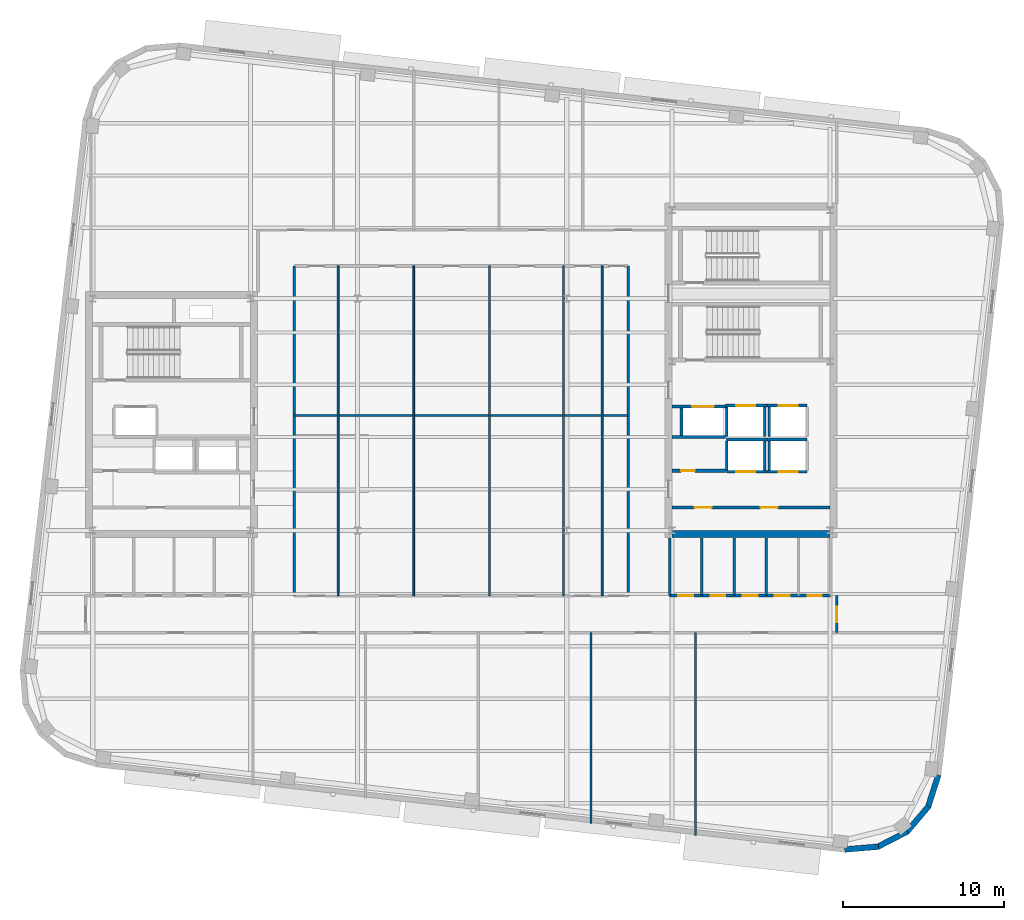
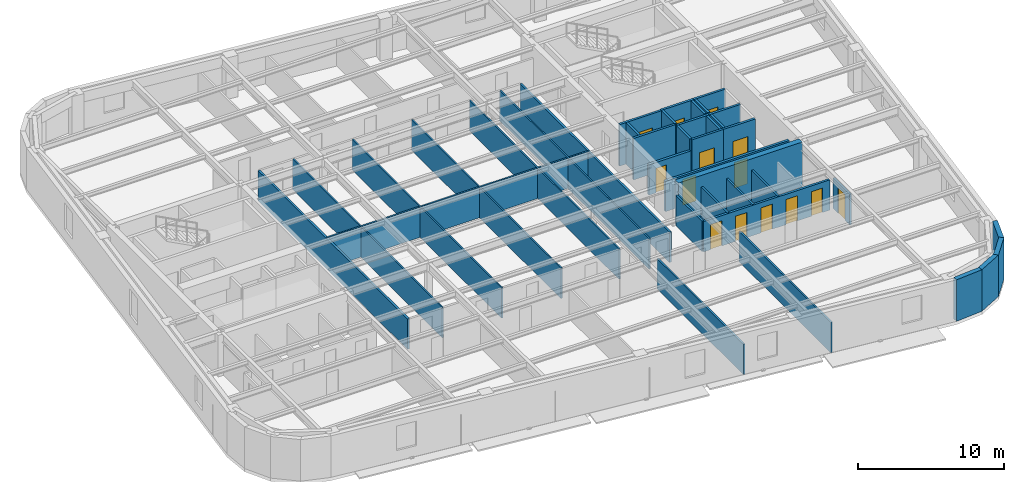
# One storey, part 7 of 13: 38 walls, 14 doors, 14 openings.
"""IFC4 building model written with IfcOpenShell, lengths in metres."""

import ifcopenshell
import ifcopenshell.guid

model = None  # the IFC model being written
_history = None  # IfcOwnerHistory: only IFC2X3 demands one
_inside = {}  # id of a spatial element -> (the spatial element, [elements in it])
_under = {}  # id of a project, library or spatial element -> (it, [spatial elements below it])
_declared = {}  # id of a project -> (the project, [libraries it declares])
_typed = {}  # id of a type object -> (the type object, [elements of that type])
_made_of = {}  # id of a material, layer set ... -> (it, [elements and type objects made of it])


def new_model(schema):
    """Start an empty IFC model of exactly this schema.

    Asked for "IFC4X3", IfcOpenShell would pick the latest addendum, in which some entities
    have other attributes; the version numbers below select the first issue.
    IFC2X3 requires an IfcOwnerHistory on every rooted entity: one is made here for all.
    """
    global model, _history
    if schema == "IFC4X3":
        model = ifcopenshell.file(schema_version=(4, 3, 0, 0))
    else:
        model = ifcopenshell.file(schema=schema)
    _inside.clear()
    _under.clear()
    _declared.clear()
    _typed.clear()
    _made_of.clear()
    _history = None
    if model.schema == "IFC2X3":
        org = make("IfcOrganization", Name="unknown")
        user = make(
            "IfcPersonAndOrganization",
            ThePerson=make("IfcPerson", FamilyName="unknown"),
            TheOrganization=org,
        )
        app = make(
            "IfcApplication",
            ApplicationDeveloper=org,
            Version="unknown",
            ApplicationFullName="unknown",
            ApplicationIdentifier="unknown",
        )
        _history = make(
            "IfcOwnerHistory",
            OwningUser=user,
            OwningApplication=app,
            ChangeAction="ADDED",
            CreationDate=0,
        )
    return model


def make(cls, **values):
    """One entity of the class cls with the attributes given. An attribute that is None is left unset."""
    return model.create_entity(
        cls, **{name: value for name, value in values.items() if value is not None}
    )


def rooted(cls, **values):
    """An entity with a GlobalId (a new one), such as an element, a storey or a relation."""
    return make(cls, GlobalId=ifcopenshell.guid.new(), OwnerHistory=_history, **values)


def si_unit(unit_type, name, prefix=None):
    """IfcSIUnit, for example si_unit("LENGTHUNIT", "METRE", prefix="MILLI")."""
    return make("IfcSIUnit", UnitType=unit_type, Prefix=prefix, Name=name)


def assignment(units):
    """IfcUnitAssignment: the units of a project."""
    return None if units is None else make("IfcUnitAssignment", Units=units)


def point(xyz):
    """IfcCartesianPoint."""
    return None if xyz is None else make("IfcCartesianPoint", Coordinates=xyz)


def direction(xyz):
    """IfcDirection."""
    return None if xyz is None else make("IfcDirection", DirectionRatios=xyz)


def frame(location, z_axis=None, x_axis=None):
    """IfcAxis2Placement3D, a coordinate frame: its origin and axes. An axis left out is left unset."""
    return make(
        "IfcAxis2Placement3D",
        Location=point(location),
        Axis=direction(z_axis),
        RefDirection=direction(x_axis),
    )


def frame_2d(location, x_axis=None):
    """IfcAxis2Placement2D, a coordinate frame in the plane: its origin and x axis."""
    return make(
        "IfcAxis2Placement2D", Location=point(location), RefDirection=direction(x_axis)
    )


def origin():
    """The frame at (0, 0, 0) with its axes left unset."""
    return frame((0.0, 0.0, 0.0))


def place(relative_to, where):
    """IfcLocalPlacement: puts the frame where relative to a parent placement (None: the world)."""
    return make(
        "IfcLocalPlacement", PlacementRelTo=relative_to, RelativePlacement=where
    )


def context(
    kind, dimensions, precision=None, world=None, true_north=None, identifier=None
):
    """IfcGeometricRepresentationContext, for example the 3D "Model" context."""
    return make(
        "IfcGeometricRepresentationContext",
        ContextIdentifier=identifier,
        ContextType=kind,
        CoordinateSpaceDimension=dimensions,
        Precision=precision,
        WorldCoordinateSystem=world,
        TrueNorth=true_north,
    )


def subcontext(parent, identifier, kind, view, scale=None):
    """IfcGeometricRepresentationSubContext, for example "Body" below "Model"."""
    return make(
        "IfcGeometricRepresentationSubContext",
        ContextIdentifier=identifier,
        ContextType=kind,
        ParentContext=parent,
        TargetScale=scale,
        TargetView=view,
    )


def project(units=None, contexts=None):
    """IfcProject with its units and contexts."""
    return rooted(
        "IfcProject",
        Name="project",
        RepresentationContexts=contexts,
        UnitsInContext=assignment(units),
    )


def spatial(cls, under=None, at=None, **own):
    """A site, building, storey or space (cls), placed at a placement, below another one or the project."""
    s = rooted(cls, ObjectPlacement=at, **own)
    if under is not None:
        _under.setdefault(under.id(), (under, []))[1].append(s)
    return s


def profile(cls, at=None, kind="AREA", **sizes):
    """A parametric profile (cls). Its sizes go by their IFC names, for example OverallWidth=200.0."""
    return make(cls, ProfileType=kind, Position=at, **sizes)


def rectangle(**sizes):
    """IfcRectangleProfileDef."""
    return profile("IfcRectangleProfileDef", **sizes)


def extrude(swept, where, along, depth):
    """IfcExtrudedAreaSolid: the profile swept, set in the frame where, extruded along a direction by depth."""
    return make(
        "IfcExtrudedAreaSolid",
        SweptArea=swept,
        Position=where,
        ExtrudedDirection=direction(along),
        Depth=depth,
    )


def shape(context_of_items, identifier, shape_type, items):
    """IfcShapeRepresentation: the items that make up one representation, for example the "Body"."""
    return make(
        "IfcShapeRepresentation",
        ContextOfItems=context_of_items,
        RepresentationIdentifier=identifier,
        RepresentationType=shape_type,
        Items=items,
    )


def material(Name=None, Category=None):
    """IfcMaterial."""
    return make("IfcMaterial", Name=Name, Category=Category)


def layer(
    of_material, thickness, ventilated=None, Name=None, Category=None, Priority=None
):
    """IfcMaterialLayer: one layer of a wall or slab, of a material (None: an air gap)."""
    return make(
        "IfcMaterialLayer",
        Material=of_material,
        LayerThickness=thickness,
        IsVentilated=ventilated,
        Name=Name,
        Category=Category,
        Priority=Priority,
    )


def layer_set(layers, Name=None):
    """IfcMaterialLayerSet."""
    return make("IfcMaterialLayerSet", MaterialLayers=layers, LayerSetName=Name)


def made_of(thing, what):
    """Note that an element or type object is made of a material, layer set ...; save() writes the relation."""
    if what is not None:
        _made_of.setdefault(what.id(), (what, []))[1].append(thing)
    return thing


def type_object(cls, material=None, **own):
    """A type object (cls), such as IfcWallType, which elements share."""
    return made_of(rooted(cls, **own), material)


def element(
    cls,
    number,
    at=None,
    inside=None,
    cuts=None,
    type_object=None,
    material=None,
    context=None,
    identifier="Body",
    shape_type=None,
    held_by="IfcProductDefinitionShape",
    body=None,
    shapes=None,
    **own,
):
    """One element of the class cls, such as IfcWall. Its Tag is "e" and its number.

    at: its placement. inside: the storey or other place that contains it. cuts: it is an
    opening in that element (IfcRelVoidsElement). A single representation is given by context,
    identifier, shape_type and body (its items); several are given by shapes. held_by: the class
    of the entity that holds the representations. save() writes the other relations.
    """
    e = rooted(cls, Tag="e%d" % number, ObjectPlacement=at, **own)
    if body is not None:
        shapes = [shape(context, identifier, shape_type, body)]
    if shapes is not None:
        e.Representation = make(held_by, Representations=shapes)
    if inside is not None:
        _inside.setdefault(inside.id(), (inside, []))[1].append(e)
    if cuts is not None:
        rooted(
            "IfcRelVoidsElement", RelatingBuildingElement=cuts, RelatedOpeningElement=e
        )
    if type_object is not None:
        _typed.setdefault(type_object.id(), (type_object, []))[1].append(e)
    return made_of(e, material)


def fill(opening, filler):
    """IfcRelFillsElement: the door or window that sits in an opening."""
    return rooted(
        "IfcRelFillsElement",
        RelatingOpeningElement=opening,
        RelatedBuildingElement=filler,
    )


def aggregate(whole, parts):
    """IfcRelAggregates: a whole, such as a stair, and the parts it consists of."""
    return rooted("IfcRelAggregates", RelatingObject=whole, RelatedObjects=parts)


def save(model, path):
    """Write the relations noted so far, then the file.

    IfcRelAggregates (storeys below a building ...), IfcRelContainedInSpatialStructure (elements
    in a storey), IfcRelDefinesByType, IfcRelAssociatesMaterial and IfcRelDeclares: one each for
    every whole, place, type object, material and project.
    """
    for whole, parts in _under.values():
        aggregate(whole, parts)
    for where, things in _inside.values():
        rooted(
            "IfcRelContainedInSpatialStructure",
            RelatedElements=things,
            RelatingStructure=where,
        )
    for kind, things in _typed.values():
        rooted("IfcRelDefinesByType", RelatedObjects=things, RelatingType=kind)
    for what, things in _made_of.values():
        rooted("IfcRelAssociatesMaterial", RelatedObjects=things, RelatingMaterial=what)
    for by, libraries in _declared.values():
        rooted("IfcRelDeclares", RelatingContext=by, RelatedDefinitions=libraries)
    model.write(path)


model = new_model("IFC4")

# Units and contexts
model_context = context("Model", 3, precision=1e-05, world=origin(), true_north=direction((0.0, 1.0)))
body_context = subcontext(model_context, "Body", "Model", "MODEL_VIEW")
ifc_project = project(units=[si_unit("LENGTHUNIT", "METRE"), si_unit("AREAUNIT", "SQUARE_METRE"), si_unit("VOLUMEUNIT", "CUBIC_METRE"), si_unit("PLANEANGLEUNIT", "RADIAN"), si_unit("MASSUNIT", "GRAM", prefix="KILO")], contexts=[model_context])

# Site, building, storey
site_placement = place(None, origin())
site = spatial("IfcSite", under=ifc_project, at=site_placement, CompositionType="ELEMENT")
building_placement = place(site_placement, origin())
building = spatial("IfcBuilding", under=site, at=building_placement, Name="Kolvaren Arena Tower", CompositionType="ELEMENT")
storey_placement = place(building_placement, frame((0.0, 0.0, 232.199951171875)))
storey = spatial("IfcBuildingStorey", under=building, at=storey_placement, Name="L56", CompositionType="ELEMENT", Elevation=232.199951171875)

# Walls
ifc_material_1 = material(Name="Gypsum board acoustic assembly", Category="gypsum")
ifc_layer_1 = layer(ifc_material_1, 0.159912109375)
ifc_layer_set_1 = layer_set([ifc_layer_1], Name="Gypsum board acoustic assembly")
wall_type_1 = type_object("IfcWallType", Name="CORR-160", PredefinedType="PARTITIONING", material=ifc_layer_set_1)
for number, where, z_axis, x_axis, name in (
    (1, (27.080078125, 15.3798828125, 0.0), (0.0, 0.0, 1.0), (0.0, 1.0, 0.0), "Interior Partition Wall (L56)"),
    (2, (47.820068359375, 15.3798828125, 0.0), (0.0, 0.0, 1.0), (0.0, 1.0, 0.0), "Interior Partition Wall (L56)"),
):
    element("IfcWall", number, at=place(storey_placement, frame(where, z_axis=z_axis, x_axis=x_axis)), inside=storey, type_object=wall_type_1, Name=name, PredefinedType="PARTITIONING", context=body_context, shape_type="SweptSolid", body=[
        extrude(rectangle(XDim=20.5, YDim=0.159912109375, at=frame_2d((10.25, 0.0))), origin(), (0.0, 0.0, 1.0), 2.5400390625),
    ])

# Wall, opening, door
wall_1_placement = place(storey_placement, frame((60.780029296875, 13.10009765625, 0.0), z_axis=(0.0, 0.0, 1.0), x_axis=(0.0, 1.0, 0.0)))
wall_1 = element("IfcWall", 3, at=wall_1_placement, inside=storey, type_object=wall_type_1, Name="Interior Partition Wall (L56)", PredefinedType="PARTITIONING", context=body_context, shape_type="SweptSolid", body=[
    extrude(rectangle(XDim=2.2998046875, YDim=0.159912109375, at=frame_2d((1.14990234375, 0.0))), origin(), (0.0, 0.0, 1.0), 2.5400390625),
])
opening_1_placement = place(wall_1_placement, frame((0.64990234375, 0.0, 0.0)))
opening_1 = element("IfcOpeningElement", 4, at=opening_1_placement, cuts=wall_1, Name="Opening D05", PredefinedType="OPENING", context=body_context, shape_type="SweptSolid", body=[
    extrude(rectangle(XDim=0.949951171875, YDim=2.14990234375, at=frame_2d((0.47509765625, 1.074951171875))), frame((0.0, 0.08984375, 0.0), z_axis=(0.0, -1.0, 0.0), x_axis=(1.0, 0.0, 0.0)), (0.0, 0.0, 1.0), 0.179931640625),
])
ifc_material_2 = material(Name="Solid-core oak acoustic office door", Category="wood")
door_type_1 = type_object("IfcDoorType", Name="DOOR-OF-095", OperationType="NOTDEFINED", PredefinedType="DOOR", material=ifc_material_2)
door_1_placement = place(opening_1_placement, origin())
door_1 = element("IfcDoor", 5, at=door_1_placement, inside=storey, type_object=door_type_1, Name="East Wing Studio Door (L56)", OperationType="SINGLE_SWING_RIGHT", OverallHeight=2.14990234375, OverallWidth=0.949951171875, PredefinedType="DOOR", context=body_context, shape_type="SweptSolid", body=[
    extrude(rectangle(XDim=0.949951171875, YDim=2.14990234375, at=frame_2d((0.47509765625, 1.074951171875))), frame((0.0, 0.02490234375, 0.0), z_axis=(0.0, -1.0, 0.0), x_axis=(1.0, 0.0, 0.0)), (0.0, 0.0, 1.0), 0.050048828125),
])
fill(opening_1, door_1)

# Walls
ifc_material_3 = material(Name="Concrete 55 MPa", Category="concrete")
ifc_layer_2 = layer(ifc_material_3, 0.449951171875)
ifc_layer_set_2 = layer_set([ifc_layer_2], Name="Concrete 55 MPa")
wall_type_2 = type_object("IfcWallType", Name="CWALL-450", PredefinedType="SHEAR", material=ifc_layer_set_2)
wall_2_placement = place(storey_placement, frame((50.550048828125, 19.22509765625, -0.27001953125), z_axis=(0.0, 0.0, 1.0), x_axis=(1.0, 0.0, 0.0)))
element("IfcWall", 6, at=wall_2_placement, inside=storey, type_object=wall_type_2, Name="Core Shear Wall EC-SOUTH (L56)", PredefinedType="SHEAR", context=body_context, shape_type="SweptSolid", body=[
    extrude(rectangle(XDim=9.800048828125, YDim=0.449951171875, at=frame_2d((4.89990234375, 0.0))), origin(), (0.0, 0.0, 1.0), 3.75),
])
ifc_material_4 = material(Name="Precast concrete C50/60", Category="concrete")
ifc_layer_3 = layer(ifc_material_4, 0.360107421875)
ifc_layer_set_3 = layer_set([ifc_layer_3], Name="Precast concrete C50/60")
wall_type_3 = type_object("IfcWallType", Name="EXT-PIER2", PredefinedType="SOLIDWALL", material=ifc_layer_set_3)
wall_3_placement = place(storey_placement, frame((63.370361328125, -0.199462890625, 0.0), z_axis=(0.0, 0.0, 1.0), x_axis=(-0.996562518477, -0.082844111233, 0.0)))
element("IfcWall", 7, at=wall_3_placement, inside=storey, type_object=wall_type_3, Name="Exterior Precast Masonry-Frame Wall (L56)", PredefinedType="SOLIDWALL", context=body_context, shape_type="SweptSolid", body=[
    extrude(rectangle(XDim=2.107177734375, YDim=0.360107421875, at=frame_2d((1.0537109375, 0.0))), origin(), (0.0, 0.0, 1.0), 3.47998046875),
])
for number, where, z_axis, x_axis, name in (
    (8, (65.176025390625, 0.745849609375, 0.0), (0.0, 0.0, 1.0), (-0.888985992199, -0.457934390142, 0.0), "Exterior Precast Masonry-Frame Wall (L56)"),
    (9, (66.482421875, 2.310302734375, 0.0), (0.0, 0.0, 1.0), (-0.646103249464, -0.763250018691, 0.0), "Exterior Precast Masonry-Frame Wall (L56)"),
):
    element("IfcWall", number, at=place(storey_placement, frame(where, z_axis=z_axis, x_axis=x_axis)), inside=storey, type_object=wall_type_3, Name=name, PredefinedType="SOLIDWALL", context=body_context, shape_type="SweptSolid", body=[
        extrude(rectangle(XDim=2.10693359375, YDim=0.360107421875, at=frame_2d((1.053466796875, 0.0))), origin(), (0.0, 0.0, 1.0), 3.47998046875),
    ])
wall_4_placement = place(storey_placement, frame((67.0908203125, 4.255615234375, 0.0), z_axis=(0.0, 0.0, 1.0), x_axis=(-0.304838787518, -0.952403965565, 0.0)))
element("IfcWall", 10, at=wall_4_placement, inside=storey, type_object=wall_type_3, Name="Exterior Precast Masonry-Frame Wall (L56)", PredefinedType="SOLIDWALL", context=body_context, shape_type="SweptSolid", body=[
    extrude(rectangle(XDim=2.107177734375, YDim=0.360107421875, at=frame_2d((1.0537109375, 0.0))), origin(), (0.0, 0.0, 1.0), 3.47998046875),
])

# Wall, openings, doors
ifc_material_5 = material(Name="Concrete 40 MPa", Category="concrete")
ifc_layer_4 = layer(ifc_material_5, 0.199951171875)
ifc_layer_set_4 = layer_set([ifc_layer_4], Name="Concrete 40 MPa")
wall_type_4 = type_object("IfcWallType", Name="LOBBY-200", PredefinedType="SOLIDWALL", material=ifc_layer_set_4)
wall_5_placement = place(storey_placement, frame((50.550048828125, 20.8798828125, 0.0), z_axis=(0.0, 0.0, 1.0), x_axis=(1.0, 0.0, 0.0)))
wall_5 = element("IfcWall", 11, at=wall_5_placement, inside=storey, type_object=wall_type_4, Name="Core Shaft Wall (L56)", PredefinedType="SOLIDWALL", context=body_context, shape_type="SweptSolid", body=[
    extrude(rectangle(XDim=9.800048828125, YDim=0.199951171875, at=frame_2d((4.89990234375, 0.0))), origin(), (0.0, 0.0, 1.0), 2.5400390625),
])
opening_2_placement = place(wall_5_placement, frame((1.39990234375, 0.0, 0.0)))
opening_2 = element("IfcOpeningElement", 12, at=opening_2_placement, cuts=wall_5, Name="Opening D04", PredefinedType="OPENING", context=body_context, shape_type="SweptSolid", body=[
    extrude(rectangle(XDim=1.050048828125, YDim=2.14990234375, at=frame_2d((0.52490234375, 1.074951171875))), frame((0.0, 0.10986328125, 0.0), z_axis=(0.0, -1.0, 0.0), x_axis=(1.0, 0.0, 0.0)), (0.0, 0.0, 1.0), 0.219970703125),
])
opening_3_placement = place(wall_5_placement, frame((5.5, 0.0, 0.0)))
opening_3 = element("IfcOpeningElement", 13, at=opening_3_placement, cuts=wall_5, Name="Opening D04", PredefinedType="OPENING", context=body_context, shape_type="SweptSolid", body=[
    extrude(rectangle(XDim=1.050048828125, YDim=2.14990234375, at=frame_2d((0.52490234375, 1.074951171875))), frame((0.0, 0.10986328125, 0.0), z_axis=(0.0, -1.0, 0.0), x_axis=(1.0, 0.0, 0.0)), (0.0, 0.0, 1.0), 0.219970703125),
])
ifc_material_6 = material(Name="Fire-rated steel lobby door", Category="steel")
door_type_2 = type_object("IfcDoorType", Name="DOOR-FF-105", OperationType="NOTDEFINED", PredefinedType="DOOR", material=ifc_material_6)
door_2_placement = place(opening_2_placement, origin())
door_2 = element("IfcDoor", 14, at=door_2_placement, inside=storey, type_object=door_type_2, Name="East Telecom Room Fire Door (L56)", OperationType="SINGLE_SWING_RIGHT", OverallHeight=2.14990234375, OverallWidth=1.050048828125, PredefinedType="DOOR", context=body_context, shape_type="SweptSolid", body=[
    extrude(rectangle(XDim=1.050048828125, YDim=2.14990234375, at=frame_2d((0.52490234375, 1.074951171875))), frame((0.0, 0.02490234375, 0.0), z_axis=(0.0, -1.0, 0.0), x_axis=(1.0, 0.0, 0.0)), (0.0, 0.0, 1.0), 0.050048828125),
])
fill(opening_2, door_2)
door_3_placement = place(opening_3_placement, origin())
door_3 = element("IfcDoor", 15, at=door_3_placement, inside=storey, type_object=door_type_2, Name="East Records Room Fire Door (L56)", OperationType="SINGLE_SWING_LEFT", OverallHeight=2.14990234375, OverallWidth=1.050048828125, PredefinedType="DOOR", context=body_context, shape_type="SweptSolid", body=[
    extrude(rectangle(XDim=1.050048828125, YDim=2.14990234375, at=frame_2d((0.52490234375, 1.074951171875))), frame((0.0, 0.02490234375, 0.0), z_axis=(0.0, -1.0, 0.0), x_axis=(1.0, 0.0, 0.0)), (0.0, 0.0, 1.0), 0.050048828125),
])
fill(opening_3, door_3)

# Wall, opening, door
wall_6_placement = place(storey_placement, frame((50.550048828125, 23.159912109375, 0.0), z_axis=(0.0, 0.0, 1.0), x_axis=(1.0, 0.0, 0.0)))
wall_6 = element("IfcWall", 16, at=wall_6_placement, inside=storey, type_object=wall_type_4, Name="Core Shaft Wall (L56)", PredefinedType="SOLIDWALL", context=body_context, shape_type="SweptSolid", body=[
    extrude(rectangle(XDim=3.329833984375, YDim=0.199951171875, at=frame_2d((1.6650390625, 0.0))), origin(), (0.0, 0.0, 1.0), 2.5400390625),
])
opening_4_placement = place(wall_6_placement, frame((0.550048828125, 0.0, 0.0)))
opening_4 = element("IfcOpeningElement", 17, at=opening_4_placement, cuts=wall_6, Name="Opening D09", PredefinedType="OPENING", context=body_context, shape_type="SweptSolid", body=[
    extrude(rectangle(XDim=0.860107421875, YDim=2.050048828125, at=frame_2d((0.43017578125, 1.02490234375))), frame((0.0, 0.10986328125, 0.0), z_axis=(0.0, -1.0, 0.0), x_axis=(1.0, 0.0, 0.0)), (0.0, 0.0, 1.0), 0.219970703125),
])
ifc_material_7 = material(Name="Fire-rated steel riser access door", Category="steel")
door_type_3 = type_object("IfcDoorType", Name="DOOR-RS-086", OperationType="NOTDEFINED", PredefinedType="DOOR", material=ifc_material_7)
door_4_placement = place(opening_4_placement, origin())
door_4 = element("IfcDoor", 18, at=door_4_placement, inside=storey, type_object=door_type_3, Name="East AV Riser Closet Door (L56)", OperationType="SINGLE_SWING_LEFT", OverallHeight=2.050048828125, OverallWidth=0.860107421875, PredefinedType="DOOR", context=body_context, shape_type="SweptSolid", body=[
    extrude(rectangle(XDim=0.860107421875, YDim=2.050048828125, at=frame_2d((0.43017578125, 1.02490234375))), frame((0.0, 0.02490234375, 0.0), z_axis=(0.0, -1.0, 0.0), x_axis=(1.0, 0.0, 0.0)), (0.0, 0.0, 1.0), 0.050048828125),
])
fill(opening_4, door_4)

# Walls
ifc_material_8 = material(Name="Gypsum board partition assembly", Category="gypsum")
ifc_layer_5 = layer(ifc_material_8, 0.114990234375)
ifc_layer_set_5 = layer_set([ifc_layer_5], Name="Gypsum board partition assembly")
wall_type_5 = type_object("IfcWallType", Name="PART-115", PredefinedType="PARTITIONING", material=ifc_layer_set_5)
for number, where, z_axis, x_axis, name in (
    (19, (29.800048828125, 15.3798828125, 0.0), (0.0, 0.0, 1.0), (0.0, 1.0, 0.0), "Interior Partition Wall (L56)"),
    (20, (34.5, 15.3798828125, 0.0), (0.0, 0.0, 1.0), (0.0, 1.0, 0.0), "Interior Partition Wall (L56)"),
    (21, (39.199951171875, 15.3798828125, 0.0), (0.0, 0.0, 1.0), (0.0, 1.0, 0.0), "Interior Partition Wall (L56)"),
    (22, (43.800048828125, 15.3798828125, 0.0), (0.0, 0.0, 1.0), (0.0, 1.0, 0.0), "Interior Partition Wall (L56)"),
    (23, (46.199951171875, 15.3798828125, 0.0), (0.0, 0.0, 1.0), (0.0, 1.0, 0.0), "Interior Partition Wall (L56)"),
):
    element("IfcWall", number, at=place(storey_placement, frame(where, z_axis=z_axis, x_axis=x_axis)), inside=storey, type_object=wall_type_5, Name=name, PredefinedType="PARTITIONING", context=body_context, shape_type="SweptSolid", body=[
        extrude(rectangle(XDim=20.5, YDim=0.114990234375, at=frame_2d((10.25, 0.0))), origin(), (0.0, 0.0, 1.0), 2.5400390625),
    ])
ifc_layer_6 = layer(ifc_material_8, 0.135009765625)
ifc_layer_set_6 = layer_set([ifc_layer_6], Name="Gypsum board partition assembly")
wall_type_6 = type_object("IfcWallType", Name="PART-135", PredefinedType="PARTITIONING", material=ifc_layer_set_6)
wall_7_placement = place(storey_placement, frame((45.5, 1.2451171875, 0.0), z_axis=(0.0, 0.0, 1.0), x_axis=(0.0, 1.0, 0.0)))
element("IfcWall", 24, at=wall_7_placement, inside=storey, type_object=wall_type_6, Name="Interior Partition Wall (L56)", PredefinedType="PARTITIONING", context=body_context, shape_type="SweptSolid", body=[
    extrude(rectangle(XDim=11.85498046875, YDim=0.135009765625, at=frame_2d((5.927490234375, 0.0))), origin(), (0.0, 0.0, 1.0), 2.5400390625),
])
wall_8_placement = place(storey_placement, frame((52.0, 0.504638671875, 0.0), z_axis=(0.0, 0.0, 1.0), x_axis=(0.0, 1.0, 0.0)))
element("IfcWall", 25, at=wall_8_placement, inside=storey, type_object=wall_type_6, Name="Interior Partition Wall (L56)", PredefinedType="PARTITIONING", context=body_context, shape_type="SweptSolid", body=[
    extrude(rectangle(XDim=12.595458984375, YDim=0.135009765625, at=frame_2d((6.2978515625, 0.0))), origin(), (0.0, 0.0, 1.0), 2.5400390625),
])
wall_9_placement = place(storey_placement, frame((27.080078125, 26.60009765625, 0.0), z_axis=(0.0, 0.0, 1.0), x_axis=(1.0, 0.0, 0.0)))
element("IfcWall", 26, at=wall_9_placement, inside=storey, type_object=wall_type_6, Name="Interior Partition Wall (L56)", PredefinedType="PARTITIONING", context=body_context, shape_type="SweptSolid", body=[
    extrude(rectangle(XDim=20.739990234375, YDim=0.135009765625, at=frame_2d((10.3701171875, 0.0))), origin(), (0.0, 0.0, 1.0), 2.5400390625),
])
ifc_material_9 = material(Name="Concrete 45 MPa", Category="concrete")
ifc_layer_7 = layer(ifc_material_9, 0.25)
ifc_layer_set_7 = layer_set([ifc_layer_7], Name="Concrete 45 MPa")
wall_type_7 = type_object("IfcWallType", Name="SHAFT-250", PredefinedType="SOLIDWALL", material=ifc_layer_set_7)
wall_10_placement = place(storey_placement, frame((53.93994140625, 25.10498046875, 0.0), z_axis=(0.0, 0.0, 1.0), x_axis=(1.0, 0.0, 0.0)))
element("IfcWall", 27, at=wall_10_placement, inside=storey, type_object=wall_type_7, Name="Core Shaft Wall (L56)", PredefinedType="SOLIDWALL", context=body_context, shape_type="SweptSolid", body=[
    extrude(rectangle(XDim=2.5, YDim=0.179931640625, at=frame_2d((1.25, 0.0))), origin(), (0.0, 0.0, 1.0), 3.47998046875),
])

# Wall, opening, door
wall_11_placement = place(storey_placement, frame((53.93994140625, 23.094970703125, 0.0), z_axis=(0.0, 0.0, 1.0), x_axis=(1.0, 0.0, 0.0)))
wall_11 = element("IfcWall", 28, at=wall_11_placement, inside=storey, type_object=wall_type_7, Name="Core Shaft Wall (L56)", PredefinedType="SOLIDWALL", context=body_context, shape_type="SweptSolid", body=[
    extrude(rectangle(XDim=2.5, YDim=0.179931640625, at=frame_2d((1.25, 0.0))), origin(), (0.0, 0.0, 1.0), 3.47998046875),
])
opening_5_placement = place(wall_11_placement, frame((0.580078125, 0.0, 0.0)))
opening_5 = element("IfcOpeningElement", 29, at=opening_5_placement, cuts=wall_11, Name="Opening LD1", PredefinedType="OPENING", context=body_context, shape_type="SweptSolid", body=[
    extrude(rectangle(XDim=1.199951171875, YDim=2.199951171875, at=frame_2d((0.60009765625, 1.10009765625))), frame((0.0, 0.099853515625, 0.0), z_axis=(0.0, -1.0, 0.0), x_axis=(1.0, 0.0, 0.0)), (0.0, 0.0, 1.0), 0.199951171875),
])
ifc_material_10 = material(Name="Stainless steel passenger lift landing door", Category="steel")
door_type_4 = type_object("IfcDoorType", Name="DOOR-LD-120", OperationType="DOUBLE_DOOR_SLIDING", PredefinedType="DOOR", material=ifc_material_10)
door_5_placement = place(opening_5_placement, origin())
door_5 = element("IfcDoor", 30, at=door_5_placement, inside=storey, type_object=door_type_4, Name="Lift EL-HR1 Landing Door (L56)", OperationType="DOUBLE_DOOR_SLIDING", OverallHeight=2.199951171875, OverallWidth=1.199951171875, PredefinedType="DOOR", context=body_context, shape_type="SweptSolid", body=[
    extrude(rectangle(XDim=1.199951171875, YDim=2.199951171875, at=frame_2d((0.60009765625, 1.10009765625))), frame((0.0, 0.02490234375, 0.0), z_axis=(0.0, -1.0, 0.0), x_axis=(1.0, 0.0, 0.0)), (0.0, 0.0, 1.0), 0.050048828125),
])
fill(opening_5, door_5)

# Walls
for number, where, z_axis, x_axis, name in (
    (31, (53.93994140625, 23.18505859375, 0.0), (0.0, 0.0, 1.0), (0.0, 1.0, 0.0), "Core Shaft Wall (L56)"),
    (32, (56.300048828125, 23.18505859375, 0.0), (0.0, 0.0, 1.0), (0.0, 1.0, 0.0), "Core Shaft Wall (L56)"),
):
    element("IfcWall", number, at=place(storey_placement, frame(where, z_axis=z_axis, x_axis=x_axis)), inside=storey, type_object=wall_type_7, Name=name, PredefinedType="SOLIDWALL", context=body_context, shape_type="SweptSolid", body=[
        extrude(rectangle(XDim=1.829833984375, YDim=0.179931640625, at=frame_2d((0.9150390625, 0.0))), origin(), (0.0, 0.0, 1.0), 3.47998046875),
    ])
wall_12_placement = place(storey_placement, frame((56.43994140625, 25.10498046875, 0.0), z_axis=(0.0, 0.0, 1.0), x_axis=(1.0, 0.0, 0.0)))
element("IfcWall", 33, at=wall_12_placement, inside=storey, type_object=wall_type_7, Name="Core Shaft Wall (L56)", PredefinedType="SOLIDWALL", context=body_context, shape_type="SweptSolid", body=[
    extrude(rectangle(XDim=2.5, YDim=0.179931640625, at=frame_2d((1.25, 0.0))), origin(), (0.0, 0.0, 1.0), 3.47998046875),
])

# Wall, opening, door
wall_13_placement = place(storey_placement, frame((56.43994140625, 23.094970703125, 0.0), z_axis=(0.0, 0.0, 1.0), x_axis=(1.0, 0.0, 0.0)))
wall_13 = element("IfcWall", 34, at=wall_13_placement, inside=storey, type_object=wall_type_7, Name="Core Shaft Wall (L56)", PredefinedType="SOLIDWALL", context=body_context, shape_type="SweptSolid", body=[
    extrude(rectangle(XDim=2.5, YDim=0.179931640625, at=frame_2d((1.25, 0.0))), origin(), (0.0, 0.0, 1.0), 3.47998046875),
])
opening_6_placement = place(wall_13_placement, frame((0.719970703125, 0.0, 0.0)))
opening_6 = element("IfcOpeningElement", 35, at=opening_6_placement, cuts=wall_13, Name="Opening LD1", PredefinedType="OPENING", context=body_context, shape_type="SweptSolid", body=[
    extrude(rectangle(XDim=1.199951171875, YDim=2.199951171875, at=frame_2d((0.60009765625, 1.10009765625))), frame((0.0, 0.099853515625, 0.0), z_axis=(0.0, -1.0, 0.0), x_axis=(1.0, 0.0, 0.0)), (0.0, 0.0, 1.0), 0.199951171875),
])
door_6_placement = place(opening_6_placement, origin())
door_6 = element("IfcDoor", 36, at=door_6_placement, inside=storey, type_object=door_type_4, Name="Lift EL-HR2 Landing Door (L56)", OperationType="DOUBLE_DOOR_SLIDING", OverallHeight=2.199951171875, OverallWidth=1.199951171875, PredefinedType="DOOR", context=body_context, shape_type="SweptSolid", body=[
    extrude(rectangle(XDim=1.199951171875, YDim=2.199951171875, at=frame_2d((0.60009765625, 1.10009765625))), frame((0.0, 0.02490234375, 0.0), z_axis=(0.0, -1.0, 0.0), x_axis=(1.0, 0.0, 0.0)), (0.0, 0.0, 1.0), 0.050048828125),
])
fill(opening_6, door_6)

# Wall
wall_14_placement = place(storey_placement, frame((56.580078125, 23.18505859375, 0.0), z_axis=(0.0, 0.0, 1.0), x_axis=(0.0, 1.0, 0.0)))
element("IfcWall", 37, at=wall_14_placement, inside=storey, type_object=wall_type_7, Name="Core Shaft Wall (L56)", PredefinedType="SOLIDWALL", context=body_context, shape_type="SweptSolid", body=[
    extrude(rectangle(XDim=1.829833984375, YDim=0.179931640625, at=frame_2d((0.9150390625, 0.0))), origin(), (0.0, 0.0, 1.0), 3.47998046875),
])

# Wall, opening, door
wall_15_placement = place(storey_placement, frame((53.864990234375, 27.205078125, 0.0), z_axis=(0.0, 0.0, 1.0), x_axis=(1.0, 0.0, 0.0)))
wall_15 = element("IfcWall", 38, at=wall_15_placement, inside=storey, type_object=wall_type_7, Name="Core Shaft Wall (L56)", PredefinedType="SOLIDWALL", context=body_context, shape_type="SweptSolid", body=[
    extrude(rectangle(XDim=2.574951171875, YDim=0.179931640625, at=frame_2d((1.28759765625, 0.0))), origin(), (0.0, 0.0, 1.0), 3.47998046875),
])
opening_7_placement = place(wall_15_placement, frame((0.655029296875, 0.0, 0.0)))
opening_7 = element("IfcOpeningElement", 39, at=opening_7_placement, cuts=wall_15, Name="Opening LD1", PredefinedType="OPENING", context=body_context, shape_type="SweptSolid", body=[
    extrude(rectangle(XDim=1.199951171875, YDim=2.199951171875, at=frame_2d((0.60009765625, 1.10009765625))), frame((0.0, 0.099853515625, 0.0), z_axis=(0.0, -1.0, 0.0), x_axis=(1.0, 0.0, 0.0)), (0.0, 0.0, 1.0), 0.199951171875),
])
door_7_placement = place(opening_7_placement, origin())
door_7 = element("IfcDoor", 40, at=door_7_placement, inside=storey, type_object=door_type_4, Name="Lift EL-HR3 Landing Door (L56)", OperationType="DOUBLE_DOOR_SLIDING", OverallHeight=2.199951171875, OverallWidth=1.199951171875, PredefinedType="DOOR", context=body_context, shape_type="SweptSolid", body=[
    extrude(rectangle(XDim=1.199951171875, YDim=2.199951171875, at=frame_2d((0.60009765625, 1.10009765625))), frame((0.0, 0.02490234375, 0.0), z_axis=(0.0, -1.0, 0.0), x_axis=(1.0, 0.0, 0.0)), (0.0, 0.0, 1.0), 0.050048828125),
])
fill(opening_7, door_7)

# Walls
for number, where, z_axis, x_axis, name in (
    (41, (53.93994140625, 25.284912109375, 0.0), (0.0, 0.0, 1.0), (0.0, 1.0, 0.0), "Core Shaft Wall (L56)"),
    (42, (56.300048828125, 25.284912109375, 0.0), (0.0, 0.0, 1.0), (0.0, 1.0, 0.0), "Core Shaft Wall (L56)"),
):
    element("IfcWall", number, at=place(storey_placement, frame(where, z_axis=z_axis, x_axis=x_axis)), inside=storey, type_object=wall_type_7, Name=name, PredefinedType="SOLIDWALL", context=body_context, shape_type="SweptSolid", body=[
        extrude(rectangle(XDim=1.830078125, YDim=0.179931640625, at=frame_2d((0.9150390625, 0.0))), origin(), (0.0, 0.0, 1.0), 3.47998046875),
    ])

# Wall, opening, door
wall_16_placement = place(storey_placement, frame((56.43994140625, 27.205078125, 0.0), z_axis=(0.0, 0.0, 1.0), x_axis=(1.0, 0.0, 0.0)))
wall_16 = element("IfcWall", 43, at=wall_16_placement, inside=storey, type_object=wall_type_7, Name="Core Shaft Wall (L56)", PredefinedType="SOLIDWALL", context=body_context, shape_type="SweptSolid", body=[
    extrude(rectangle(XDim=2.5, YDim=0.179931640625, at=frame_2d((1.25, 0.0))), origin(), (0.0, 0.0, 1.0), 3.47998046875),
])
opening_8_placement = place(wall_16_placement, frame((0.719970703125, 0.0, 0.0)))
opening_8 = element("IfcOpeningElement", 44, at=opening_8_placement, cuts=wall_16, Name="Opening LD1", PredefinedType="OPENING", context=body_context, shape_type="SweptSolid", body=[
    extrude(rectangle(XDim=1.199951171875, YDim=2.199951171875, at=frame_2d((0.60009765625, 1.10009765625))), frame((0.0, 0.099853515625, 0.0), z_axis=(0.0, -1.0, 0.0), x_axis=(1.0, 0.0, 0.0)), (0.0, 0.0, 1.0), 0.199951171875),
])
door_8_placement = place(opening_8_placement, origin())
door_8 = element("IfcDoor", 45, at=door_8_placement, inside=storey, type_object=door_type_4, Name="Lift EL-HR4 Landing Door (L56)", OperationType="DOUBLE_DOOR_SLIDING", OverallHeight=2.199951171875, OverallWidth=1.199951171875, PredefinedType="DOOR", context=body_context, shape_type="SweptSolid", body=[
    extrude(rectangle(XDim=1.199951171875, YDim=2.199951171875, at=frame_2d((0.60009765625, 1.10009765625))), frame((0.0, 0.02490234375, 0.0), z_axis=(0.0, -1.0, 0.0), x_axis=(1.0, 0.0, 0.0)), (0.0, 0.0, 1.0), 0.050048828125),
])
fill(opening_8, door_8)

# Wall
wall_17_placement = place(storey_placement, frame((56.580078125, 25.284912109375, 0.0), z_axis=(0.0, 0.0, 1.0), x_axis=(0.0, 1.0, 0.0)))
element("IfcWall", 46, at=wall_17_placement, inside=storey, type_object=wall_type_7, Name="Core Shaft Wall (L56)", PredefinedType="SOLIDWALL", context=body_context, shape_type="SweptSolid", body=[
    extrude(rectangle(XDim=1.830078125, YDim=0.179931640625, at=frame_2d((0.9150390625, 0.0))), origin(), (0.0, 0.0, 1.0), 3.47998046875),
])

# Wall, opening, door
wall_18_placement = place(storey_placement, frame((50.550048828125, 27.155029296875, 0.0), z_axis=(0.0, 0.0, 1.0), x_axis=(1.0, 0.0, 0.0)))
wall_18 = element("IfcWall", 47, at=wall_18_placement, inside=storey, type_object=wall_type_7, Name="Core Shaft Wall (L56)", PredefinedType="SOLIDWALL", context=body_context, shape_type="SweptSolid", body=[
    extrude(rectangle(XDim=3.31494140625, YDim=0.179931640625, at=frame_2d((1.657470703125, 0.0))), origin(), (0.0, 0.0, 1.0), 3.47998046875),
])
opening_9_placement = place(wall_18_placement, frame((1.235107421875, 0.0, 0.0)))
opening_9 = element("IfcOpeningElement", 48, at=opening_9_placement, cuts=wall_18, Name="Opening LD2", PredefinedType="OPENING", context=body_context, shape_type="SweptSolid", body=[
    extrude(rectangle(XDim=1.35009765625, YDim=2.300048828125, at=frame_2d((0.675048828125, 1.14990234375))), frame((0.0, 0.099853515625, 0.0), z_axis=(0.0, -1.0, 0.0), x_axis=(1.0, 0.0, 0.0)), (0.0, 0.0, 1.0), 0.199951171875),
])
ifc_material_11 = material(Name="Stainless steel firefighter lift landing door", Category="steel")
door_type_5 = type_object("IfcDoorType", Name="DOOR-LD-135", OperationType="DOUBLE_DOOR_SLIDING", PredefinedType="DOOR", material=ifc_material_11)
door_9_placement = place(opening_9_placement, origin())
door_9 = element("IfcDoor", 49, at=door_9_placement, inside=storey, type_object=door_type_5, Name="Firefighter Lift FF-E1 Landing Door (L56)", OperationType="DOUBLE_DOOR_SLIDING", OverallHeight=2.300048828125, OverallWidth=1.35009765625, PredefinedType="DOOR", context=body_context, shape_type="SweptSolid", body=[
    extrude(rectangle(XDim=1.35009765625, YDim=2.300048828125, at=frame_2d((0.675048828125, 1.14990234375))), frame((0.0, 0.02490234375, 0.0), z_axis=(0.0, -1.0, 0.0), x_axis=(1.0, 0.0, 0.0)), (0.0, 0.0, 1.0), 0.050048828125),
])
fill(opening_9, door_9)

# Walls
wall_19_placement = place(storey_placement, frame((50.550048828125, 25.2451171875, 0.0), z_axis=(0.0, 0.0, 1.0), x_axis=(1.0, 0.0, 0.0)))
element("IfcWall", 50, at=wall_19_placement, inside=storey, type_object=wall_type_7, Name="Core Shaft Wall (L56)", PredefinedType="SOLIDWALL", context=body_context, shape_type="SweptSolid", body=[
    extrude(rectangle(XDim=3.31494140625, YDim=0.179931640625, at=frame_2d((1.657470703125, 0.0))), origin(), (0.0, 0.0, 1.0), 3.47998046875),
])
wall_20_placement = place(storey_placement, frame((51.1298828125, 25.3349609375, 0.0), z_axis=(0.0, 0.0, 1.0), x_axis=(0.0, 1.0, 0.0)))
element("IfcWall", 51, at=wall_20_placement, inside=storey, type_object=wall_type_7, Name="Core Shaft Wall (L56)", PredefinedType="SOLIDWALL", context=body_context, shape_type="SweptSolid", body=[
    extrude(rectangle(XDim=1.72998046875, YDim=0.179931640625, at=frame_2d((0.864990234375, 0.0))), origin(), (0.0, 0.0, 1.0), 3.47998046875),
])

# Wall, openings, doors
wall_21_placement = place(storey_placement, frame((50.39990234375, 15.39990234375, 0.0), z_axis=(0.0, 0.0, 1.0), x_axis=(1.0, 0.0, 0.0)))
wall_21 = element("IfcWall", 52, at=wall_21_placement, inside=storey, type_object=wall_type_7, Name="Interior Partition Wall (L56)", PredefinedType="SOLIDWALL", context=body_context, shape_type="SweptSolid", body=[
    extrude(rectangle(XDim=10.0, YDim=0.179931640625, at=frame_2d((5.0, 0.0))), origin(), (0.0, 0.0, 1.0), 2.5400390625),
])
opening_10_placement = place(wall_21_placement, frame((0.5400390625, 0.0, 0.0)))
opening_10 = element("IfcOpeningElement", 53, at=opening_10_placement, cuts=wall_21, Name="Opening D07", PredefinedType="OPENING", context=body_context, shape_type="SweptSolid", body=[
    extrude(rectangle(XDim=0.919921875, YDim=2.10009765625, at=frame_2d((0.4599609375, 1.050048828125))), frame((0.0, 0.099853515625, 0.0), z_axis=(0.0, -1.0, 0.0), x_axis=(1.0, 0.0, 0.0)), (0.0, 0.0, 1.0), 0.199951171875),
])
opening_11_placement = place(wall_21_placement, frame((2.5400390625, 0.0, 0.0)))
opening_11 = element("IfcOpeningElement", 54, at=opening_11_placement, cuts=wall_21, Name="Opening D07", PredefinedType="OPENING", context=body_context, shape_type="SweptSolid", body=[
    extrude(rectangle(XDim=0.919921875, YDim=2.10009765625, at=frame_2d((0.4599609375, 1.050048828125))), frame((0.0, 0.099853515625, 0.0), z_axis=(0.0, -1.0, 0.0), x_axis=(1.0, 0.0, 0.0)), (0.0, 0.0, 1.0), 0.199951171875),
])
opening_12_placement = place(wall_21_placement, frame((4.5400390625, 0.0, 0.0)))
opening_12 = element("IfcOpeningElement", 55, at=opening_12_placement, cuts=wall_21, Name="Opening D07", PredefinedType="OPENING", context=body_context, shape_type="SweptSolid", body=[
    extrude(rectangle(XDim=0.919921875, YDim=2.10009765625, at=frame_2d((0.4599609375, 1.050048828125))), frame((0.0, 0.099853515625, 0.0), z_axis=(0.0, -1.0, 0.0), x_axis=(1.0, 0.0, 0.0)), (0.0, 0.0, 1.0), 0.199951171875),
])
opening_13_placement = place(wall_21_placement, frame((6.5400390625, 0.0, 0.0)))
opening_13 = element("IfcOpeningElement", 56, at=opening_13_placement, cuts=wall_21, Name="Opening D07", PredefinedType="OPENING", context=body_context, shape_type="SweptSolid", body=[
    extrude(rectangle(XDim=0.919921875, YDim=2.10009765625, at=frame_2d((0.4599609375, 1.050048828125))), frame((0.0, 0.099853515625, 0.0), z_axis=(0.0, -1.0, 0.0), x_axis=(1.0, 0.0, 0.0)), (0.0, 0.0, 1.0), 0.199951171875),
])
opening_14_placement = place(wall_21_placement, frame((8.570068359375, 0.0, 0.0)))
opening_14 = element("IfcOpeningElement", 57, at=opening_14_placement, cuts=wall_21, Name="Opening D09", PredefinedType="OPENING", context=body_context, shape_type="SweptSolid", body=[
    extrude(rectangle(XDim=0.860107421875, YDim=2.050048828125, at=frame_2d((0.43017578125, 1.02490234375))), frame((0.0, 0.099853515625, 0.0), z_axis=(0.0, -1.0, 0.0), x_axis=(1.0, 0.0, 0.0)), (0.0, 0.0, 1.0), 0.199951171875),
])
door_10_placement = place(opening_14_placement, origin())
door_10 = element("IfcDoor", 58, at=door_10_placement, inside=storey, type_object=door_type_3, Name="Telecom Riser Closet Door (L56)", OperationType="SINGLE_SWING_RIGHT", OverallHeight=2.050048828125, OverallWidth=0.860107421875, PredefinedType="DOOR", context=body_context, shape_type="SweptSolid", body=[
    extrude(rectangle(XDim=0.860107421875, YDim=2.050048828125, at=frame_2d((0.43017578125, 1.02490234375))), frame((0.0, 0.02490234375, 0.0), z_axis=(0.0, -1.0, 0.0), x_axis=(1.0, 0.0, 0.0)), (0.0, 0.0, 1.0), 0.050048828125),
])
fill(opening_14, door_10)
ifc_material_12 = material(Name="Laminate universal washroom door", Category="wood")
door_type_6 = type_object("IfcDoorType", Name="DOOR-WC-092", OperationType="NOTDEFINED", PredefinedType="DOOR", material=ifc_material_12)
door_11_placement = place(opening_10_placement, origin())
door_11 = element("IfcDoor", 59, at=door_11_placement, inside=storey, type_object=door_type_6, Name="First Aid Store Door (L56)", OperationType="SINGLE_SWING_RIGHT", OverallHeight=2.10009765625, OverallWidth=0.919921875, PredefinedType="DOOR", context=body_context, shape_type="SweptSolid", body=[
    extrude(rectangle(XDim=0.919921875, YDim=2.10009765625, at=frame_2d((0.4599609375, 1.050048828125))), frame((0.0, 0.02490234375, 0.0), z_axis=(0.0, -1.0, 0.0), x_axis=(1.0, 0.0, 0.0)), (0.0, 0.0, 1.0), 0.050048828125),
])
fill(opening_10, door_11)
door_12_placement = place(opening_11_placement, origin())
door_12 = element("IfcDoor", 60, at=door_12_placement, inside=storey, type_object=door_type_6, Name="Cleaner and Janitor Store Door (L56)", OperationType="SINGLE_SWING_LEFT", OverallHeight=2.10009765625, OverallWidth=0.919921875, PredefinedType="DOOR", context=body_context, shape_type="SweptSolid", body=[
    extrude(rectangle(XDim=0.919921875, YDim=2.10009765625, at=frame_2d((0.4599609375, 1.050048828125))), frame((0.0, 0.02490234375, 0.0), z_axis=(0.0, -1.0, 0.0), x_axis=(1.0, 0.0, 0.0)), (0.0, 0.0, 1.0), 0.050048828125),
])
fill(opening_11, door_12)
door_13_placement = place(opening_12_placement, origin())
door_13 = element("IfcDoor", 61, at=door_13_placement, inside=storey, type_object=door_type_6, Name="Staff Pantry Door (L56)", OperationType="SINGLE_SWING_RIGHT", OverallHeight=2.10009765625, OverallWidth=0.919921875, PredefinedType="DOOR", context=body_context, shape_type="SweptSolid", body=[
    extrude(rectangle(XDim=0.919921875, YDim=2.10009765625, at=frame_2d((0.4599609375, 1.050048828125))), frame((0.0, 0.02490234375, 0.0), z_axis=(0.0, -1.0, 0.0), x_axis=(1.0, 0.0, 0.0)), (0.0, 0.0, 1.0), 0.050048828125),
])
fill(opening_12, door_13)
door_14_placement = place(opening_13_placement, origin())
door_14 = element("IfcDoor", 62, at=door_14_placement, inside=storey, type_object=door_type_6, Name="Gender-Neutral Washroom Door (L56)", OperationType="SINGLE_SWING_LEFT", OverallHeight=2.10009765625, OverallWidth=0.919921875, PredefinedType="DOOR", context=body_context, shape_type="SweptSolid", body=[
    extrude(rectangle(XDim=0.919921875, YDim=2.10009765625, at=frame_2d((0.4599609375, 1.050048828125))), frame((0.0, 0.02490234375, 0.0), z_axis=(0.0, -1.0, 0.0), x_axis=(1.0, 0.0, 0.0)), (0.0, 0.0, 1.0), 0.050048828125),
])
fill(opening_13, door_14)

# Walls
ifc_material_13 = material(Name="Moisture-resistant gypsum assembly", Category="gypsum")
ifc_layer_8 = layer(ifc_material_13, 0.14990234375)
ifc_layer_set_8 = layer_set([ifc_layer_8], Name="Moisture-resistant gypsum assembly")
wall_type_8 = type_object("IfcWallType", Name="WETW-150", PredefinedType="PARTITIONING", material=ifc_layer_set_8)
for number, where, z_axis, x_axis, name in (
    (63, (52.39990234375, 15.39990234375, 0.0), (0.0, 0.0, 1.0), (0.0, 1.0, 0.0), "Interior Partition Wall (L56)"),
    (64, (54.39990234375, 15.39990234375, 0.0), (0.0, 0.0, 1.0), (0.0, 1.0, 0.0), "Interior Partition Wall (L56)"),
    (65, (56.39990234375, 15.39990234375, 0.0), (0.0, 0.0, 1.0), (0.0, 1.0, 0.0), "Interior Partition Wall (L56)"),
    (66, (50.39990234375, 15.39990234375, 0.0), (0.0, 0.0, 1.0), (0.0, 1.0, 0.0), "Interior Partition Wall (L56)"),
):
    element("IfcWall", number, at=place(storey_placement, frame(where, z_axis=z_axis, x_axis=x_axis)), inside=storey, type_object=wall_type_8, Name=name, PredefinedType="PARTITIONING", context=body_context, shape_type="SweptSolid", body=[
        extrude(rectangle(XDim=3.580078125, YDim=0.14990234375, at=frame_2d((1.7900390625, 0.0))), origin(), (0.0, 0.0, 1.0), 2.5400390625),
    ])

save(model, "model.ifc")
